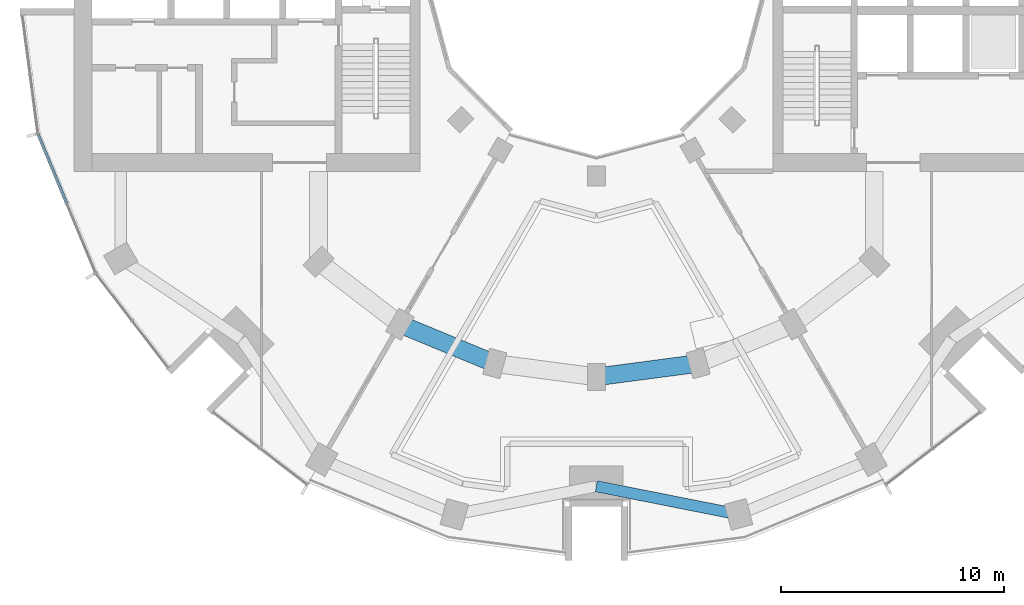
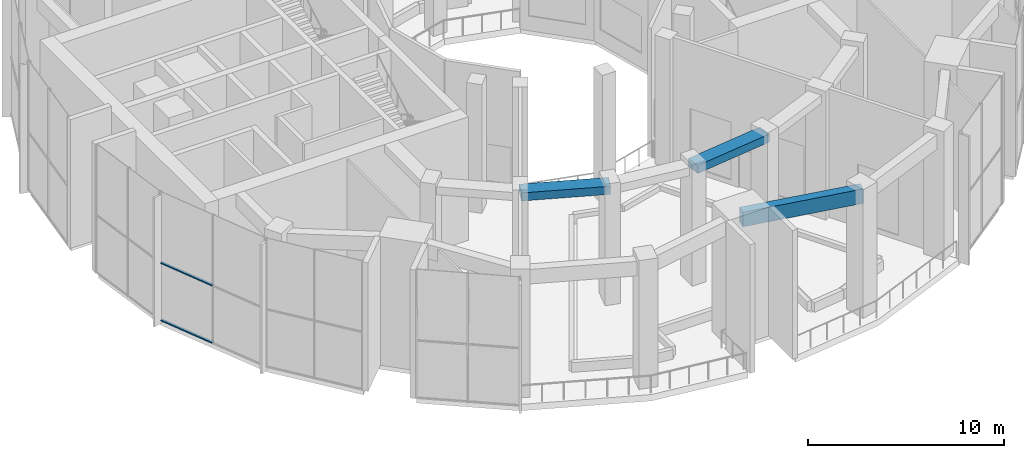
# One storey, part 3 of 18: 3 beams, 2 members, 1 element without a shape of its own.
"""IFC4 building model written with IfcOpenShell, lengths in metres."""

from ifc_helpers import new_model, si_unit, direction, frame, origin, origin_2d, place, context, subcontext, project, spatial, rectangle, extrude, material, layer, layer_set, material_profile, profile_set, type_object, element, aggregate, save


model = new_model("IFC4")

# Units and contexts
model_context = context("Model", 3, precision=1e-05, world=origin(), true_north=direction((0.0, 1.0)))
body_context = subcontext(model_context, "Body", "Model", "MODEL_VIEW")
ifc_project = project(units=[si_unit("LENGTHUNIT", "METRE"), si_unit("AREAUNIT", "SQUARE_METRE"), si_unit("VOLUMEUNIT", "CUBIC_METRE"), si_unit("PLANEANGLEUNIT", "RADIAN"), si_unit("MASSUNIT", "GRAM", prefix="KILO")], contexts=[model_context])

# Site, building, storey
site_placement = place(None, origin())
site = spatial("IfcSite", under=ifc_project, at=site_placement, CompositionType="ELEMENT")
building_placement = place(site_placement, origin())
building = spatial("IfcBuilding", under=site, at=building_placement, Name="Torre Brocal", CompositionType="ELEMENT")
storey_placement = place(building_placement, frame((0.0, 0.0, 74.39990234375)))
storey = spatial("IfcBuildingStorey", under=building, at=storey_placement, Name="L17", CompositionType="ELEMENT", Elevation=74.39990234375)

# Curtain wall, members
ifc_material_1 = material(Name="Aluminium and glass", Category="aluminium")
ifc_layer = layer(ifc_material_1, 0.199951171875)
ifc_layer_set = layer_set([ifc_layer], Name="Aluminium and glass")
curtain_wall_type = type_object("IfcCurtainWallType", Name="CW-4 CURTAIN WALL 8000 HIGH", PredefinedType="NOTDEFINED", material=ifc_layer_set)
curtain_wall_placement = place(storey_placement, origin())
curtain_wall = element("IfcCurtainWall", 1, at=curtain_wall_placement, inside=storey, type_object=curtain_wall_type, Name="CW-4 RUN 14", PredefinedType="NOTDEFINED")
ifc_material_2 = material(Name="Aluminium, dark anodised", Category="aluminium")
ifc_material_profile_1 = material_profile(ifc_material_2, rectangle(XDim=0.139892578125, YDim=0.070068359375, at=origin_2d()), Name="CW-4 TRANSOM 140X70")
ifc_profile_set_1 = profile_set([ifc_material_profile_1], Name="Aluminium, dark anodised")
member_type = type_object("IfcMemberType", Name="CW-4 TRANSOM 140X70", PredefinedType="USERDEFINED", material=ifc_profile_set_1)
member_1_placement = place(storey_placement, frame((55.00244140625, 68.250732421875, 0.03515625), z_axis=(0.382658376168, -0.92388991073, 0.0), x_axis=(0.92388991073, 0.382658376168, 0.0)))
member_1 = element("IfcMember", 2, at=member_1_placement, type_object=member_type, Name="CW4-1 transom 1.1", ObjectType="TRANSOM", PredefinedType="USERDEFINED", context=body_context, shape_type="SweptSolid", body=[
    extrude(rectangle(XDim=0.139892578125, YDim=0.070068359375, at=origin_2d()), origin(), (0.0, 0.0, 1.0), 3.305419921875),
])
member_2_placement = place(storey_placement, frame((55.00244140625, 68.250732421875, 3.60009765625), z_axis=(0.382658376168, -0.92388991073, 0.0), x_axis=(0.92388991073, 0.382658376168, 0.0)))
member_2 = element("IfcMember", 3, at=member_2_placement, type_object=member_type, Name="CW4-1 transom 1.2", ObjectType="TRANSOM", PredefinedType="USERDEFINED", context=body_context, shape_type="SweptSolid", body=[
    extrude(rectangle(XDim=0.139892578125, YDim=0.070068359375, at=origin_2d()), origin(), (0.0, 0.0, 1.0), 3.305419921875),
])
aggregate(curtain_wall, [member_1, member_2])

# Beams
ifc_material_3 = material(Name="Concrete C50", Category="concrete")
ifc_material_profile_2 = material_profile(ifc_material_3, rectangle(XDim=0.800048828125, YDim=0.5, at=origin_2d()), Name="RC 800X500")
ifc_profile_set_2 = profile_set([ifc_material_profile_2], Name="Concrete C50")
beam_type_1 = type_object("IfcBeamType", Name="RC BEAM 800X500 C50 TOP 7680", PredefinedType="BEAM", material=ifc_profile_set_2)
beam_1_placement = place(storey_placement, frame((71.199951171875, 59.758056640625, 7.43017578125), z_axis=(0.923878240166, -0.382686552348, 0.0), x_axis=(0.382686552348, 0.923878240166, 0.0)))
element("IfcBeam", 4, at=beam_1_placement, inside=storey, type_object=beam_type_1, Name="Beam BT-23", PredefinedType="BEAM", context=body_context, shape_type="SweptSolid", body=[
    extrude(rectangle(XDim=0.800048828125, YDim=0.5, at=origin_2d()), origin(), (0.0, 0.0, 1.0), 4.5947265625),
])
beam_2_placement = place(storey_placement, frame((80.0, 57.39990234375, 7.43017578125), z_axis=(0.991440544449, 0.130558978332, 0.0), x_axis=(-0.130558978332, 0.991440544449, 0.0)))
element("IfcBeam", 5, at=beam_2_placement, inside=storey, type_object=beam_type_1, Name="Beam BT-23", PredefinedType="BEAM", context=body_context, shape_type="SweptSolid", body=[
    extrude(rectangle(XDim=0.800048828125, YDim=0.5, at=origin_2d()), origin(), (0.0, 0.0, 1.0), 4.594482421875),
])
ifc_material_4 = material(Name="Concrete C50", Category="concrete")
ifc_material_profile_3 = material_profile(ifc_material_4, rectangle(XDim=0.5, YDim=0.89990234375, at=origin_2d()), Name="RC 500X900")
ifc_profile_set_3 = profile_set([ifc_material_profile_3], Name="Concrete C50")
beam_type_2 = type_object("IfcBeamType", Name="RC SPANDREL BEAM 500X900 C50 TOP 7680", PredefinedType="SPANDREL", material=ifc_profile_set_3)
beam_3_placement = place(storey_placement, frame((80.0, 52.5, 7.22998046875), z_axis=(0.980924907484, -0.194387051723, 0.0), x_axis=(0.194387051723, 0.980924907484, 0.0)))
element("IfcBeam", 6, at=beam_3_placement, inside=storey, type_object=beam_type_2, Name="Beam BT-24", PredefinedType="SPANDREL", context=body_context, shape_type="SweptSolid", body=[
    extrude(rectangle(XDim=0.5, YDim=0.89990234375, at=origin_2d()), origin(), (0.0, 0.0, 1.0), 6.49072265625),
])

save(model, "model.ifc")
